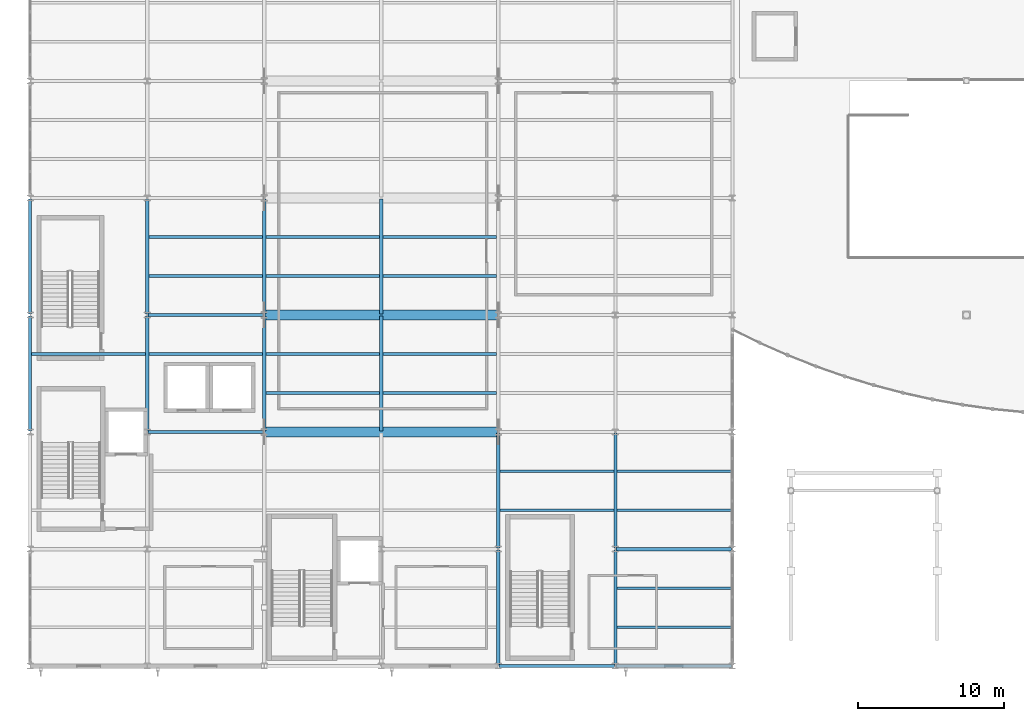
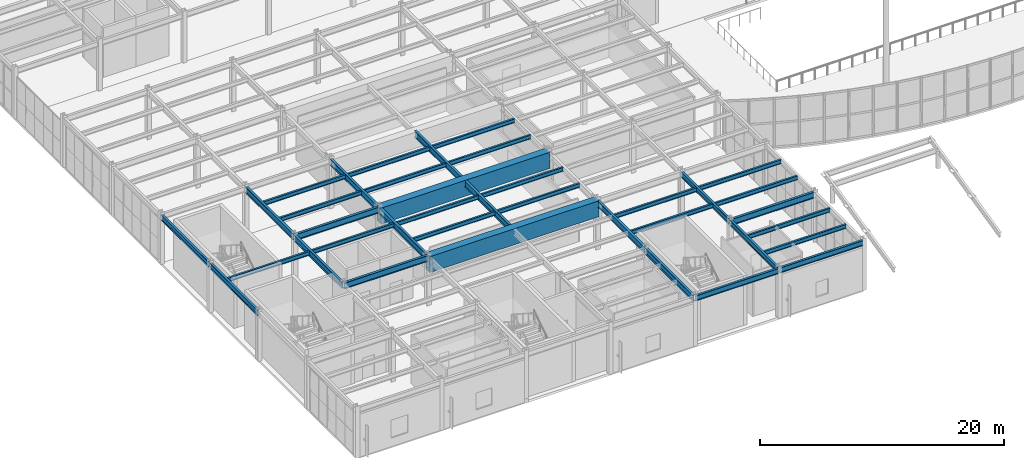
# One storey, part 21 of 77: 37 beams.
"""IFC4 building model written with IfcOpenShell, lengths in metres."""

from ifc_helpers import new_model, si_unit, direction, frame, origin, origin_2d, place, context, subcontext, project, spatial, hollow_rectangle, i_section, extrude, material, material_profile, profile_set, type_object, element, save


model = new_model("IFC4")

# Units and contexts
model_context = context("Model", 3, precision=1e-05, world=origin(), true_north=direction((0.0, 1.0)))
body_context = subcontext(model_context, "Body", "Model", "MODEL_VIEW")
ifc_project = project(units=[si_unit("LENGTHUNIT", "METRE"), si_unit("AREAUNIT", "SQUARE_METRE"), si_unit("VOLUMEUNIT", "CUBIC_METRE"), si_unit("PLANEANGLEUNIT", "RADIAN"), si_unit("MASSUNIT", "GRAM", prefix="KILO")], contexts=[model_context])

# Site, building, storey
site_placement = place(None, origin())
site = spatial("IfcSite", under=ifc_project, at=site_placement, CompositionType="ELEMENT")
building_placement = place(site_placement, origin())
building = spatial("IfcBuilding", under=site, at=building_placement, Name="Drelvath Fold Interchange", CompositionType="ELEMENT")
storey_placement = place(building_placement, frame((0.0, 0.0, 6.0)))
storey = spatial("IfcBuildingStorey", under=building, at=storey_placement, Name="L01", CompositionType="ELEMENT", Elevation=6.0)

# Beams
ifc_material_1 = material(Name="Steel ASTM A992 Grade 50", Category="steel")
ifc_material_profile_1 = material_profile(ifc_material_1, i_section(OverallWidth=0.177978515625, OverallDepth=0.403076171875, WebThickness=0.007568359375, FlangeThickness=0.010986328125, at=origin_2d()), Name="W16X36")
ifc_profile_set_1 = profile_set([ifc_material_profile_1], Name="Steel ASTM A992 Grade 50")
beam_type_1 = type_object("IfcBeamType", Name="BM-W16X36", PredefinedType="JOIST", material=ifc_profile_set_1)
beam_placement = place(storey_placement, frame((4.10302734375, 24.3330078125, 4.748046875), z_axis=(1.0, 0.0, 0.0), x_axis=(0.0, 1.0, 0.0)))
element("IfcBeam", 1, at=beam_placement, inside=storey, type_object=beam_type_1, Name="L01 Secondary floor joist BM-W16X36", PredefinedType="JOIST", context=body_context, shape_type="SweptSolid", body=[
    extrude(i_section(OverallWidth=0.177978515625, OverallDepth=0.403076171875, WebThickness=0.007568359375, FlangeThickness=0.010986328125, at=origin_2d()), origin(), (0.0, 0.0, 1.0), 7.783935546875),
])
for number, where, z_axis, x_axis, name in (
    (2, (12.113037109375, 24.3330078125, 4.748046875), (1.0, 0.0, 0.0), (0.0, 1.0, 0.0), "L01 Secondary floor joist BM-W16X36"),
    (3, (12.113037109375, 29.6669921875, 4.748046875), (1.0, 0.0, 0.0), (0.0, 1.0, 0.0), "L01 Secondary floor joist BM-W16X36"),
    (4, (12.113037109375, 32.3330078125, 4.748046875), (1.0, 0.0, 0.0), (0.0, 1.0, 0.0), "L01 Secondary floor joist BM-W16X36"),
    (5, (20.113037109375, 21.6669921875, 4.748046875), (1.0, 0.0, 0.0), (0.0, 1.0, 0.0), "L01 Secondary floor joist BM-W16X36"),
    (6, (20.113037109375, 24.3330078125, 4.748046875), (1.0, 0.0, 0.0), (0.0, 1.0, 0.0), "L01 Secondary floor joist BM-W16X36"),
    (7, (20.113037109375, 29.6669921875, 4.748046875), (1.0, 0.0, 0.0), (0.0, 1.0, 0.0), "L01 Secondary floor joist BM-W16X36"),
    (8, (20.113037109375, 32.3330078125, 4.748046875), (1.0, 0.0, 0.0), (0.0, 1.0, 0.0), "L01 Secondary floor joist BM-W16X36"),
    (9, (28.113037109375, 21.6669921875, 4.748046875), (1.0, 0.0, 0.0), (0.0, 1.0, 0.0), "L01 Secondary floor joist BM-W16X36"),
    (10, (28.113037109375, 24.3330078125, 4.748046875), (1.0, 0.0, 0.0), (0.0, 1.0, 0.0), "L01 Secondary floor joist BM-W16X36"),
    (11, (28.113037109375, 29.6669921875, 4.748046875), (1.0, 0.0, 0.0), (0.0, 1.0, 0.0), "L01 Secondary floor joist BM-W16X36"),
    (12, (28.113037109375, 32.3330078125, 4.748046875), (1.0, 0.0, 0.0), (0.0, 1.0, 0.0), "L01 Secondary floor joist BM-W16X36"),
):
    element("IfcBeam", number, at=place(storey_placement, frame(where, z_axis=z_axis, x_axis=x_axis)), inside=storey, type_object=beam_type_1, Name=name, PredefinedType="JOIST", context=body_context, shape_type="SweptSolid", body=[
        extrude(i_section(OverallWidth=0.177978515625, OverallDepth=0.403076171875, WebThickness=0.007568359375, FlangeThickness=0.010986328125, at=origin_2d()), origin(), (0.0, 0.0, 1.0), 7.77392578125),
    ])
for number, where, z_axis, x_axis, name in (
    (13, (36.113037109375, 13.6669921875, 4.748046875), (1.0, 0.0, 0.0), (0.0, 1.0, 0.0), "L01 Secondary floor joist BM-W16X36"),
    (14, (36.113037109375, 16.3330078125, 4.748046875), (1.0, 0.0, 0.0), (0.0, 1.0, 0.0), "L01 Secondary floor joist BM-W16X36"),
):
    element("IfcBeam", number, at=place(storey_placement, frame(where, z_axis=z_axis, x_axis=x_axis)), inside=storey, type_object=beam_type_1, Name=name, PredefinedType="JOIST", context=body_context, shape_type="SweptSolid", body=[
        extrude(i_section(OverallWidth=0.177978515625, OverallDepth=0.403076171875, WebThickness=0.007568359375, FlangeThickness=0.010986328125, at=origin_2d()), origin(), (0.0, 0.0, 1.0), 7.783935546875),
    ])
for number, where, z_axis, x_axis, name in (
    (15, (44.10302734375, 5.6669921875, 4.748046875), (1.0, 0.0, 0.0), (0.0, 1.0, 0.0), "L01 Secondary floor joist BM-W16X36"),
    (16, (44.10302734375, 8.3330078125, 4.748046875), (1.0, 0.0, 0.0), (0.0, 1.0, 0.0), "L01 Secondary floor joist BM-W16X36"),
    (17, (44.10302734375, 13.6669921875, 4.748046875), (1.0, 0.0, 0.0), (0.0, 1.0, 0.0), "L01 Secondary floor joist BM-W16X36"),
    (18, (44.10302734375, 16.3330078125, 4.748046875), (1.0, 0.0, 0.0), (0.0, 1.0, 0.0), "L01 Secondary floor joist BM-W16X36"),
):
    element("IfcBeam", number, at=place(storey_placement, frame(where, z_axis=z_axis, x_axis=x_axis)), inside=storey, type_object=beam_type_1, Name=name, PredefinedType="JOIST", context=body_context, shape_type="SweptSolid", body=[
        extrude(i_section(OverallWidth=0.177978515625, OverallDepth=0.403076171875, WebThickness=0.007568359375, FlangeThickness=0.010986328125, at=origin_2d()), origin(), (0.0, 0.0, 1.0), 7.7939453125),
    ])
ifc_material_profile_2 = material_profile(ifc_material_1, i_section(OverallWidth=0.2099609375, OverallDepth=0.537109375, WebThickness=0.010986328125, FlangeThickness=0.017333984375, at=origin_2d()), Name="W21X68")
ifc_profile_set_2 = profile_set([ifc_material_profile_2], Name="Steel ASTM A992 Grade 50")
beam_type_2 = type_object("IfcBeamType", Name="BM-W21X68", PredefinedType="SPANDREL", material=ifc_profile_set_2)
for number, where, z_axis, x_axis, name in (
    (19, (36.06005859375, 3.0, 4.680908203125), (1.0, 0.0, 0.0), (0.0, 1.0, 0.0), "L01 Primary X girder BM-W21X68"),
    (20, (44.06005859375, 3.0, 4.680908203125), (1.0, 0.0, 0.0), (0.0, 1.0, 0.0), "L01 Primary X girder BM-W21X68"),
    (21, (4.0, 19.06005859375, 4.680908203125), (0.0, 1.0, 0.0), (-1.0, 0.0, 0.0), "L01 Primary Y girder BM-W21X68"),
    (22, (4.0, 27.06005859375, 4.680908203125), (0.0, 1.0, 0.0), (-1.0, 0.0, 0.0), "L01 Primary Y girder BM-W21X68"),
    (23, (44.0, 3.06005859375, 4.680908203125), (0.0, 1.0, 0.0), (-1.0, 0.0, 0.0), "L01 Primary Y girder BM-W21X68"),
    (24, (44.0, 11.06005859375, 4.680908203125), (0.0, 1.0, 0.0), (-1.0, 0.0, 0.0), "L01 Primary Y girder BM-W21X68"),
):
    element("IfcBeam", number, at=place(storey_placement, frame(where, z_axis=z_axis, x_axis=x_axis)), inside=storey, type_object=beam_type_2, Name=name, PredefinedType="SPANDREL", context=body_context, shape_type="SweptSolid", body=[
        extrude(i_section(OverallWidth=0.2099609375, OverallDepth=0.537109375, WebThickness=0.010986328125, FlangeThickness=0.017333984375, at=origin_2d()), origin(), (0.0, 0.0, 1.0), 7.8798828125),
    ])
ifc_material_profile_3 = material_profile(ifc_material_1, i_section(OverallWidth=0.22998046875, OverallDepth=0.616943359375, WebThickness=0.01318359375, FlangeThickness=0.022216796875, at=origin_2d()), Name="W24X94")
ifc_profile_set_3 = profile_set([ifc_material_profile_3], Name="Steel ASTM A992 Grade 50")
beam_type_3 = type_object("IfcBeamType", Name="BM-W24X94", PredefinedType="BEAM", material=ifc_profile_set_3)
for number, where, z_axis, x_axis, name in (
    (25, (44.06005859375, 11.0, 4.64111328125), (1.0, 0.0, 0.0), (0.0, 1.0, 0.0), "L01 Primary X girder BM-W24X94"),
    (26, (12.06005859375, 19.0, 4.64111328125), (1.0, 0.0, 0.0), (0.0, 1.0, 0.0), "L01 Primary X girder BM-W24X94"),
    (27, (12.06005859375, 27.0, 4.64111328125), (1.0, 0.0, 0.0), (0.0, 1.0, 0.0), "L01 Primary X girder BM-W24X94"),
    (28, (12.0, 19.06005859375, 4.64111328125), (0.0, 1.0, 0.0), (-1.0, 0.0, 0.0), "L01 Primary Y girder BM-W24X94"),
    (29, (12.0, 27.06005859375, 4.64111328125), (0.0, 1.0, 0.0), (-1.0, 0.0, 0.0), "L01 Primary Y girder BM-W24X94"),
    (30, (20.0, 19.06005859375, 4.64111328125), (0.0, 1.0, 0.0), (-1.0, 0.0, 0.0), "L01 Primary Y girder BM-W24X94"),
    (31, (20.0, 27.06005859375, 4.64111328125), (0.0, 1.0, 0.0), (-1.0, 0.0, 0.0), "L01 Primary Y girder BM-W24X94"),
    (32, (28.0, 19.06005859375, 4.64111328125), (0.0, 1.0, 0.0), (-1.0, 0.0, 0.0), "L01 Primary Y girder BM-W24X94"),
    (33, (28.0, 27.06005859375, 4.64111328125), (0.0, 1.0, 0.0), (-1.0, 0.0, 0.0), "L01 Primary Y girder BM-W24X94"),
    (34, (36.0, 3.06005859375, 4.64111328125), (0.0, 1.0, 0.0), (-1.0, 0.0, 0.0), "L01 Primary Y girder BM-W24X94"),
    (35, (36.0, 11.06005859375, 4.64111328125), (0.0, 1.0, 0.0), (-1.0, 0.0, 0.0), "L01 Primary Y girder BM-W24X94"),
):
    element("IfcBeam", number, at=place(storey_placement, frame(where, z_axis=z_axis, x_axis=x_axis)), inside=storey, type_object=beam_type_3, Name=name, PredefinedType="BEAM", context=body_context, shape_type="SweptSolid", body=[
        extrude(i_section(OverallWidth=0.22998046875, OverallDepth=0.616943359375, WebThickness=0.01318359375, FlangeThickness=0.022216796875, at=origin_2d()), origin(), (0.0, 0.0, 1.0), 7.8798828125),
    ])
ifc_material_2 = material(Name="Steel ASTM A572 Grade 50", Category="steel")
ifc_material_profile_4 = material_profile(ifc_material_2, hollow_rectangle(XDim=0.699951171875, YDim=1.60009765625, WallThickness=0.074951171875, at=origin_2d()), Name="BOX 1600x700x75")
ifc_profile_set_4 = profile_set([ifc_material_profile_4], Name="Steel ASTM A572 Grade 50")
beam_type_4 = type_object("IfcBeamType", Name="TG-BOX1600", PredefinedType="USERDEFINED", material=ifc_profile_set_4)
for number, where, z_axis, x_axis, name in (
    (36, (20.0, 19.0, 4.14990234375), (1.0, 0.0, 0.0), (0.0, 1.0, 0.0), "Transfer girder TG-01"),
    (37, (20.0, 27.0, 4.14990234375), (1.0, 0.0, 0.0), (0.0, 1.0, 0.0), "Transfer girder TG-02"),
):
    element("IfcBeam", number, at=place(storey_placement, frame(where, z_axis=z_axis, x_axis=x_axis)), inside=storey, type_object=beam_type_4, Name=name, ObjectType="GIRDER", PredefinedType="USERDEFINED", context=body_context, shape_type="SweptSolid", body=[
        extrude(hollow_rectangle(XDim=0.699951171875, YDim=1.60009765625, WallThickness=0.074951171875, at=origin_2d()), origin(), (0.0, 0.0, 1.0), 16.0),
    ])

save(model, "model.ifc")
